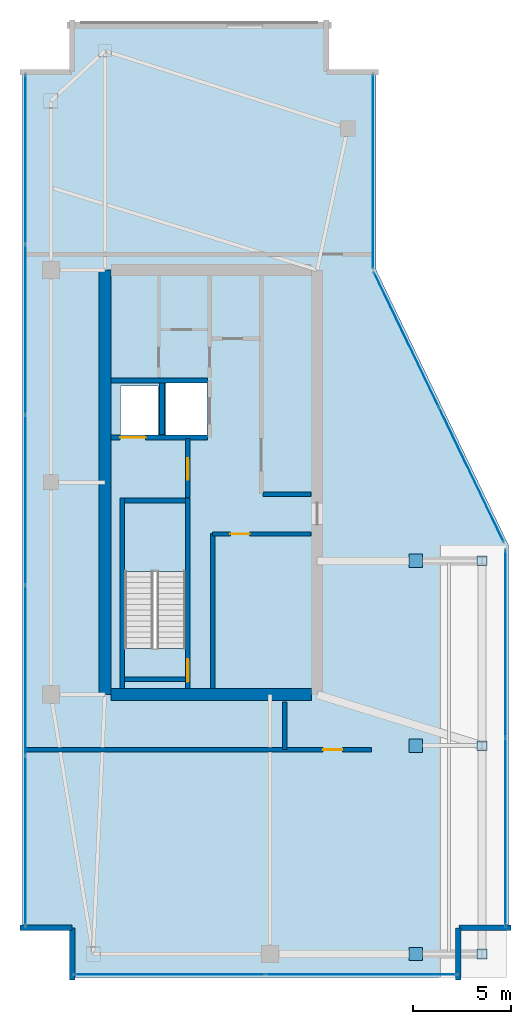
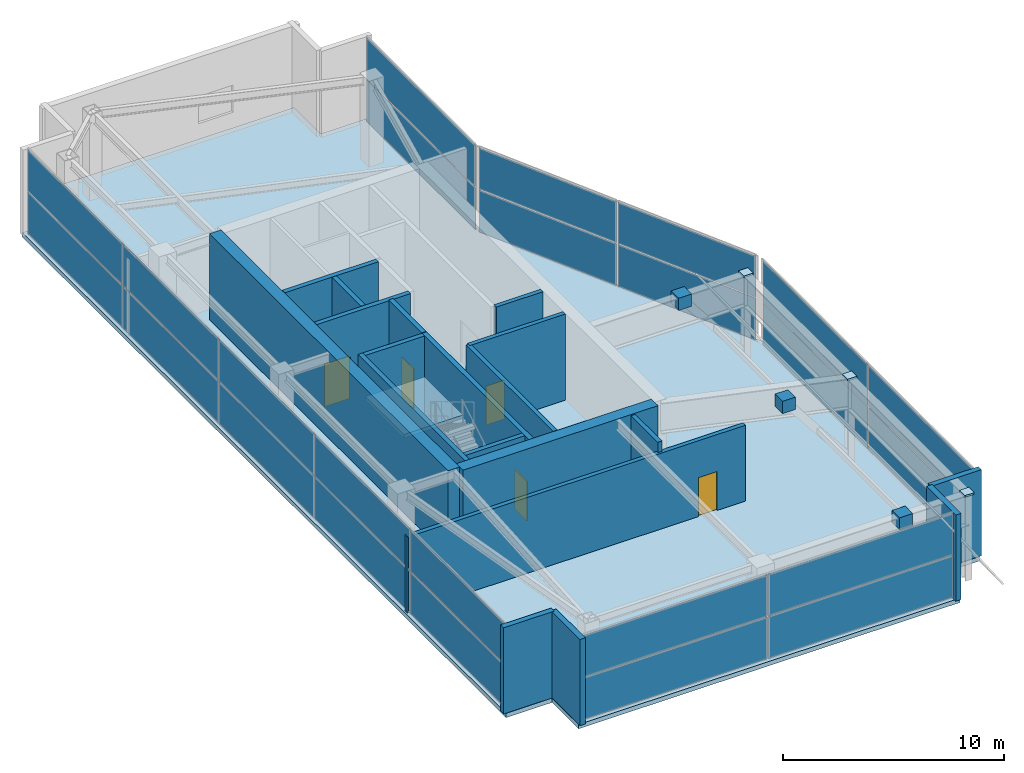
# One storey, part 17 of 20: 30 plates, 19 walls, 5 doors, 2 slabs, 5 openings, 6 elements without a shape of their own.
"""IFC4 building model written with IfcOpenShell, lengths in metres."""

import ifcopenshell
import ifcopenshell.guid

model = None  # the IFC model being written
_history = None  # IfcOwnerHistory: only IFC2X3 demands one
_inside = {}  # id of a spatial element -> (the spatial element, [elements in it])
_under = {}  # id of a project, library or spatial element -> (it, [spatial elements below it])
_declared = {}  # id of a project -> (the project, [libraries it declares])
_typed = {}  # id of a type object -> (the type object, [elements of that type])
_made_of = {}  # id of a material, layer set ... -> (it, [elements and type objects made of it])


def new_model(schema):
    """Start an empty IFC model of exactly this schema.

    Asked for "IFC4X3", IfcOpenShell would pick the latest addendum, in which some entities
    have other attributes; the version numbers below select the first issue.
    IFC2X3 requires an IfcOwnerHistory on every rooted entity: one is made here for all.
    """
    global model, _history
    if schema == "IFC4X3":
        model = ifcopenshell.file(schema_version=(4, 3, 0, 0))
    else:
        model = ifcopenshell.file(schema=schema)
    _inside.clear()
    _under.clear()
    _declared.clear()
    _typed.clear()
    _made_of.clear()
    _history = None
    if model.schema == "IFC2X3":
        org = make("IfcOrganization", Name="unknown")
        user = make(
            "IfcPersonAndOrganization",
            ThePerson=make("IfcPerson", FamilyName="unknown"),
            TheOrganization=org,
        )
        app = make(
            "IfcApplication",
            ApplicationDeveloper=org,
            Version="unknown",
            ApplicationFullName="unknown",
            ApplicationIdentifier="unknown",
        )
        _history = make(
            "IfcOwnerHistory",
            OwningUser=user,
            OwningApplication=app,
            ChangeAction="ADDED",
            CreationDate=0,
        )
    return model


def make(cls, **values):
    """One entity of the class cls with the attributes given. An attribute that is None is left unset."""
    return model.create_entity(
        cls, **{name: value for name, value in values.items() if value is not None}
    )


def rooted(cls, **values):
    """An entity with a GlobalId (a new one), such as an element, a storey or a relation."""
    return make(cls, GlobalId=ifcopenshell.guid.new(), OwnerHistory=_history, **values)


def si_unit(unit_type, name, prefix=None):
    """IfcSIUnit, for example si_unit("LENGTHUNIT", "METRE", prefix="MILLI")."""
    return make("IfcSIUnit", UnitType=unit_type, Prefix=prefix, Name=name)


def assignment(units):
    """IfcUnitAssignment: the units of a project."""
    return None if units is None else make("IfcUnitAssignment", Units=units)


def point(xyz):
    """IfcCartesianPoint."""
    return None if xyz is None else make("IfcCartesianPoint", Coordinates=xyz)


def direction(xyz):
    """IfcDirection."""
    return None if xyz is None else make("IfcDirection", DirectionRatios=xyz)


def frame(location, z_axis=None, x_axis=None):
    """IfcAxis2Placement3D, a coordinate frame: its origin and axes. An axis left out is left unset."""
    return make(
        "IfcAxis2Placement3D",
        Location=point(location),
        Axis=direction(z_axis),
        RefDirection=direction(x_axis),
    )


def frame_2d(location, x_axis=None):
    """IfcAxis2Placement2D, a coordinate frame in the plane: its origin and x axis."""
    return make(
        "IfcAxis2Placement2D", Location=point(location), RefDirection=direction(x_axis)
    )


def origin():
    """The frame at (0, 0, 0) with its axes left unset."""
    return frame((0.0, 0.0, 0.0))


def origin_2d():
    """The frame at (0, 0) in the plane with its x axis left unset."""
    return frame_2d((0.0, 0.0))


def place(relative_to, where):
    """IfcLocalPlacement: puts the frame where relative to a parent placement (None: the world)."""
    return make(
        "IfcLocalPlacement", PlacementRelTo=relative_to, RelativePlacement=where
    )


def context(
    kind, dimensions, precision=None, world=None, true_north=None, identifier=None
):
    """IfcGeometricRepresentationContext, for example the 3D "Model" context."""
    return make(
        "IfcGeometricRepresentationContext",
        ContextIdentifier=identifier,
        ContextType=kind,
        CoordinateSpaceDimension=dimensions,
        Precision=precision,
        WorldCoordinateSystem=world,
        TrueNorth=true_north,
    )


def subcontext(parent, identifier, kind, view, scale=None):
    """IfcGeometricRepresentationSubContext, for example "Body" below "Model"."""
    return make(
        "IfcGeometricRepresentationSubContext",
        ContextIdentifier=identifier,
        ContextType=kind,
        ParentContext=parent,
        TargetScale=scale,
        TargetView=view,
    )


def project(units=None, contexts=None):
    """IfcProject with its units and contexts."""
    return rooted(
        "IfcProject",
        Name="project",
        RepresentationContexts=contexts,
        UnitsInContext=assignment(units),
    )


def spatial(cls, under=None, at=None, **own):
    """A site, building, storey or space (cls), placed at a placement, below another one or the project."""
    s = rooted(cls, ObjectPlacement=at, **own)
    if under is not None:
        _under.setdefault(under.id(), (under, []))[1].append(s)
    return s


def polyline(points):
    """IfcPolyline through the points."""
    return make("IfcPolyline", Points=[point(p) for p in points])


def profile(cls, at=None, kind="AREA", **sizes):
    """A parametric profile (cls). Its sizes go by their IFC names, for example OverallWidth=200.0."""
    return make(cls, ProfileType=kind, Position=at, **sizes)


def rectangle(**sizes):
    """IfcRectangleProfileDef."""
    return profile("IfcRectangleProfileDef", **sizes)


def outline(outer, holes=None, kind="AREA"):
    """IfcArbitraryClosedProfileDef: a profile drawn as a closed curve; with holes, ...WithVoids."""
    if holes is None:
        return make("IfcArbitraryClosedProfileDef", ProfileType=kind, OuterCurve=outer)
    return make(
        "IfcArbitraryProfileDefWithVoids",
        ProfileType=kind,
        OuterCurve=outer,
        InnerCurves=holes,
    )


def extrude(swept, where, along, depth):
    """IfcExtrudedAreaSolid: the profile swept, set in the frame where, extruded along a direction by depth."""
    return make(
        "IfcExtrudedAreaSolid",
        SweptArea=swept,
        Position=where,
        ExtrudedDirection=direction(along),
        Depth=depth,
    )


def shape(context_of_items, identifier, shape_type, items):
    """IfcShapeRepresentation: the items that make up one representation, for example the "Body"."""
    return make(
        "IfcShapeRepresentation",
        ContextOfItems=context_of_items,
        RepresentationIdentifier=identifier,
        RepresentationType=shape_type,
        Items=items,
    )


def material(Name=None, Category=None):
    """IfcMaterial."""
    return make("IfcMaterial", Name=Name, Category=Category)


def layer(
    of_material, thickness, ventilated=None, Name=None, Category=None, Priority=None
):
    """IfcMaterialLayer: one layer of a wall or slab, of a material (None: an air gap)."""
    return make(
        "IfcMaterialLayer",
        Material=of_material,
        LayerThickness=thickness,
        IsVentilated=ventilated,
        Name=Name,
        Category=Category,
        Priority=Priority,
    )


def layer_set(layers, Name=None):
    """IfcMaterialLayerSet."""
    return make("IfcMaterialLayerSet", MaterialLayers=layers, LayerSetName=Name)


def made_of(thing, what):
    """Note that an element or type object is made of a material, layer set ...; save() writes the relation."""
    if what is not None:
        _made_of.setdefault(what.id(), (what, []))[1].append(thing)
    return thing


def type_object(cls, material=None, **own):
    """A type object (cls), such as IfcWallType, which elements share."""
    return made_of(rooted(cls, **own), material)


def element(
    cls,
    number,
    at=None,
    inside=None,
    cuts=None,
    type_object=None,
    material=None,
    context=None,
    identifier="Body",
    shape_type=None,
    held_by="IfcProductDefinitionShape",
    body=None,
    shapes=None,
    **own,
):
    """One element of the class cls, such as IfcWall. Its Tag is "e" and its number.

    at: its placement. inside: the storey or other place that contains it. cuts: it is an
    opening in that element (IfcRelVoidsElement). A single representation is given by context,
    identifier, shape_type and body (its items); several are given by shapes. held_by: the class
    of the entity that holds the representations. save() writes the other relations.
    """
    e = rooted(cls, Tag="e%d" % number, ObjectPlacement=at, **own)
    if body is not None:
        shapes = [shape(context, identifier, shape_type, body)]
    if shapes is not None:
        e.Representation = make(held_by, Representations=shapes)
    if inside is not None:
        _inside.setdefault(inside.id(), (inside, []))[1].append(e)
    if cuts is not None:
        rooted(
            "IfcRelVoidsElement", RelatingBuildingElement=cuts, RelatedOpeningElement=e
        )
    if type_object is not None:
        _typed.setdefault(type_object.id(), (type_object, []))[1].append(e)
    return made_of(e, material)


def fill(opening, filler):
    """IfcRelFillsElement: the door or window that sits in an opening."""
    return rooted(
        "IfcRelFillsElement",
        RelatingOpeningElement=opening,
        RelatedBuildingElement=filler,
    )


def aggregate(whole, parts):
    """IfcRelAggregates: a whole, such as a stair, and the parts it consists of."""
    return rooted("IfcRelAggregates", RelatingObject=whole, RelatedObjects=parts)


def save(model, path):
    """Write the relations noted so far, then the file.

    IfcRelAggregates (storeys below a building ...), IfcRelContainedInSpatialStructure (elements
    in a storey), IfcRelDefinesByType, IfcRelAssociatesMaterial and IfcRelDeclares: one each for
    every whole, place, type object, material and project.
    """
    for whole, parts in _under.values():
        aggregate(whole, parts)
    for where, things in _inside.values():
        rooted(
            "IfcRelContainedInSpatialStructure",
            RelatedElements=things,
            RelatingStructure=where,
        )
    for kind, things in _typed.values():
        rooted("IfcRelDefinesByType", RelatedObjects=things, RelatingType=kind)
    for what, things in _made_of.values():
        rooted("IfcRelAssociatesMaterial", RelatedObjects=things, RelatingMaterial=what)
    for by, libraries in _declared.values():
        rooted("IfcRelDeclares", RelatingContext=by, RelatedDefinitions=libraries)
    model.write(path)


model = new_model("IFC4")

# Units and contexts
model_context = context("Model", 3, precision=1e-05, world=origin(), true_north=direction((0.0, 1.0)))
body_context = subcontext(model_context, "Body", "Model", "MODEL_VIEW")
ifc_project = project(units=[si_unit("LENGTHUNIT", "METRE"), si_unit("AREAUNIT", "SQUARE_METRE"), si_unit("VOLUMEUNIT", "CUBIC_METRE"), si_unit("PLANEANGLEUNIT", "RADIAN"), si_unit("MASSUNIT", "GRAM", prefix="KILO")], contexts=[model_context])

# Site, building, storey
site_placement = place(None, origin())
site = spatial("IfcSite", under=ifc_project, at=site_placement, CompositionType="ELEMENT")
building_placement = place(site_placement, origin())
building = spatial("IfcBuilding", under=site, at=building_placement, Name="Calvorn Quay Hotel", CompositionType="ELEMENT")
storey_placement = place(building_placement, frame((0.0, 0.0, 335.5)))
storey = spatial("IfcBuildingStorey", under=building, at=storey_placement, Name="L82", CompositionType="ELEMENT", Elevation=335.5)

# Curtain wall, plates
ifc_material_1 = material(Name="Pale Anodised Aluminium and Laminated Glass", Category="aluminium")
ifc_layer_1 = layer(ifc_material_1, 0.219970703125)
ifc_layer_set_1 = layer_set([ifc_layer_1], Name="CW-SYS-CRN")
curtain_wall_type = type_object("IfcCurtainWallType", Name="CW-SYS-CRN", PredefinedType="NOTDEFINED", material=ifc_layer_set_1)
curtain_wall_1_placement = place(storey_placement, origin())
curtain_wall_1 = element("IfcCurtainWall", 1, at=curtain_wall_1_placement, inside=storey, type_object=curtain_wall_type, Name="Crown Curtain Wall L82-C1", PredefinedType="NOTDEFINED")
ifc_material_2 = material(Name="Low-E Laminated Double Glazing", Category="glass")
ifc_layer_2 = layer(ifc_material_2, 0.028076171875)
ifc_layer_set_2 = layer_set([ifc_layer_2], Name="CW-SYS-CRN-PAN")
plate_type_1 = type_object("IfcPlateType", Name="CW-SYS-CRN-PAN", PredefinedType="CURTAIN_PANEL", material=ifc_layer_set_2)
plate_1_placement = place(storey_placement, frame((7.50830078125, 2.550048828125, 0.06005859375), z_axis=(0.0, 0.0, 1.0), x_axis=(1.0, 0.0, 0.0)))
plate_1 = element("IfcPlate", 2, at=plate_1_placement, type_object=plate_type_1, Name="CW-L82-C1 panel 1.1", PredefinedType="CURTAIN_PANEL", context=body_context, shape_type="SweptSolid", body=[
    extrude(rectangle(XDim=9.656494140625, YDim=0.028076171875, at=origin_2d()), origin(), (0.0, 0.0, 1.0), 2.31005859375),
])
plate_2_placement = place(storey_placement, frame((7.50830078125, 2.550048828125, 2.429931640625), z_axis=(0.0, 0.0, 1.0), x_axis=(1.0, 0.0, 0.0)))
plate_2 = element("IfcPlate", 3, at=plate_2_placement, type_object=plate_type_1, Name="CW-L82-C1 panel 1.2", PredefinedType="CURTAIN_PANEL", context=body_context, shape_type="SweptSolid", body=[
    extrude(rectangle(XDim=9.656494140625, YDim=0.028076171875, at=origin_2d()), origin(), (0.0, 0.0, 1.0), 2.27001953125),
])
plate_3_placement = place(storey_placement, frame((17.224853515625, 2.550048828125, 0.06005859375), z_axis=(0.0, 0.0, 1.0), x_axis=(1.0, 0.0, 0.0)))
plate_3 = element("IfcPlate", 4, at=plate_3_placement, type_object=plate_type_1, Name="CW-L82-C1 panel 2.1", PredefinedType="CURTAIN_PANEL", context=body_context, shape_type="SweptSolid", body=[
    extrude(rectangle(XDim=9.656494140625, YDim=0.028076171875, at=origin_2d()), origin(), (0.0, 0.0, 1.0), 2.31005859375),
])
plate_4_placement = place(storey_placement, frame((17.224853515625, 2.550048828125, 2.429931640625), z_axis=(0.0, 0.0, 1.0), x_axis=(1.0, 0.0, 0.0)))
plate_4 = element("IfcPlate", 5, at=plate_4_placement, type_object=plate_type_1, Name="CW-L82-C1 panel 2.2", PredefinedType="CURTAIN_PANEL", context=body_context, shape_type="SweptSolid", body=[
    extrude(rectangle(XDim=9.656494140625, YDim=0.028076171875, at=origin_2d()), origin(), (0.0, 0.0, 1.0), 2.27001953125),
])
aggregate(curtain_wall_1, [plate_1, plate_2, plate_3, plate_4])

curtain_wall_2_placement = place(storey_placement, origin())
curtain_wall_2 = element("IfcCurtainWall", 6, at=curtain_wall_2_placement, inside=storey, type_object=curtain_wall_type, Name="Crown Curtain Wall L82-C2", PredefinedType="NOTDEFINED")
plate_5_placement = place(storey_placement, frame((24.5830078125, 9.824951171875, 0.06005859375), z_axis=(0.0, 0.0, 1.0), x_axis=(0.0, 1.0, 0.0)))
plate_5 = element("IfcPlate", 7, at=plate_5_placement, type_object=plate_type_1, Name="CW-L82-C2 panel 1.1", PredefinedType="CURTAIN_PANEL", context=body_context, shape_type="SweptSolid", body=[
    extrude(rectangle(XDim=9.489990234375, YDim=0.028076171875, at=origin_2d()), origin(), (0.0, 0.0, 1.0), 2.31005859375),
])
plate_6_placement = place(storey_placement, frame((24.5830078125, 9.824951171875, 2.429931640625), z_axis=(0.0, 0.0, 1.0), x_axis=(0.0, 1.0, 0.0)))
plate_6 = element("IfcPlate", 8, at=plate_6_placement, type_object=plate_type_1, Name="CW-L82-C2 panel 1.2", PredefinedType="CURTAIN_PANEL", context=body_context, shape_type="SweptSolid", body=[
    extrude(rectangle(XDim=9.489990234375, YDim=0.028076171875, at=origin_2d()), origin(), (0.0, 0.0, 1.0), 2.27001953125),
])
plate_7_placement = place(storey_placement, frame((24.5830078125, 19.375, 0.06005859375), z_axis=(0.0, 0.0, 1.0), x_axis=(0.0, 1.0, 0.0)))
plate_7 = element("IfcPlate", 9, at=plate_7_placement, type_object=plate_type_1, Name="CW-L82-C2 panel 2.1", PredefinedType="CURTAIN_PANEL", context=body_context, shape_type="SweptSolid", body=[
    extrude(rectangle(XDim=9.489990234375, YDim=0.028076171875, at=origin_2d()), origin(), (0.0, 0.0, 1.0), 2.31005859375),
])
plate_8_placement = place(storey_placement, frame((24.5830078125, 19.375, 2.429931640625), z_axis=(0.0, 0.0, 1.0), x_axis=(0.0, 1.0, 0.0)))
plate_8 = element("IfcPlate", 10, at=plate_8_placement, type_object=plate_type_1, Name="CW-L82-C2 panel 2.2", PredefinedType="CURTAIN_PANEL", context=body_context, shape_type="SweptSolid", body=[
    extrude(rectangle(XDim=9.489990234375, YDim=0.028076171875, at=origin_2d()), origin(), (0.0, 0.0, 1.0), 2.27001953125),
])
aggregate(curtain_wall_2, [plate_5, plate_6, plate_7, plate_8])

curtain_wall_3_placement = place(storey_placement, origin())
curtain_wall_3 = element("IfcCurtainWall", 11, at=curtain_wall_3_placement, inside=storey, type_object=curtain_wall_type, Name="Crown Curtain Wall L82-C3", PredefinedType="NOTDEFINED")
plate_9_placement = place(storey_placement, frame((22.83935546875, 27.992431640625, 0.06005859375), z_axis=(0.0, 0.0, 1.0), x_axis=(-0.433404727408, 0.901199390956, 0.0)))
plate_9 = element("IfcPlate", 12, at=plate_9_placement, type_object=plate_type_1, Name="CW-L82-C3 panel 1.1", PredefinedType="CURTAIN_PANEL", context=body_context, shape_type="SweptSolid", body=[
    extrude(rectangle(XDim=7.5576171875, YDim=0.028076171875, at=origin_2d()), origin(), (0.0, 0.0, 1.0), 2.31005859375),
])
plate_10_placement = place(storey_placement, frame((22.83935546875, 27.992431640625, 2.429931640625), z_axis=(0.0, 0.0, 1.0), x_axis=(-0.433404727408, 0.901199390956, 0.0)))
plate_10 = element("IfcPlate", 13, at=plate_10_placement, type_object=plate_type_1, Name="CW-L82-C3 panel 1.2", PredefinedType="CURTAIN_PANEL", context=body_context, shape_type="SweptSolid", body=[
    extrude(rectangle(XDim=7.5576171875, YDim=0.028076171875, at=origin_2d()), origin(), (0.0, 0.0, 1.0), 2.27001953125),
])
plate_11_placement = place(storey_placement, frame((19.537841796875, 34.857421875, 0.06005859375), z_axis=(0.0, 0.0, 1.0), x_axis=(-0.433404727408, 0.901199390956, 0.0)))
plate_11 = element("IfcPlate", 14, at=plate_11_placement, type_object=plate_type_1, Name="CW-L82-C3 panel 2.1", PredefinedType="CURTAIN_PANEL", context=body_context, shape_type="SweptSolid", body=[
    extrude(rectangle(XDim=7.5576171875, YDim=0.028076171875, at=origin_2d()), origin(), (0.0, 0.0, 1.0), 2.31005859375),
])
plate_12_placement = place(storey_placement, frame((19.537841796875, 34.857421875, 2.429931640625), z_axis=(0.0, 0.0, 1.0), x_axis=(-0.433404727408, 0.901199390956, 0.0)))
plate_12 = element("IfcPlate", 15, at=plate_12_placement, type_object=plate_type_1, Name="CW-L82-C3 panel 2.2", PredefinedType="CURTAIN_PANEL", context=body_context, shape_type="SweptSolid", body=[
    extrude(rectangle(XDim=7.5576171875, YDim=0.028076171875, at=origin_2d()), origin(), (0.0, 0.0, 1.0), 2.27001953125),
])
aggregate(curtain_wall_3, [plate_9, plate_10, plate_11, plate_12])

curtain_wall_4_placement = place(storey_placement, origin())
curtain_wall_4 = element("IfcCurtainWall", 16, at=curtain_wall_4_placement, inside=storey, type_object=curtain_wall_type, Name="Crown Curtain Wall L82-C4", PredefinedType="NOTDEFINED")
plate_13_placement = place(storey_placement, frame((17.85009765625, 43.39990234375, 0.06005859375), z_axis=(0.0, 0.0, 1.0), x_axis=(0.0, 1.0, 0.0)))
plate_13 = element("IfcPlate", 17, at=plate_13_placement, type_object=plate_type_1, Name="CW-L82-C4 panel 1.1", PredefinedType="CURTAIN_PANEL", context=body_context, shape_type="SweptSolid", body=[
    extrude(rectangle(XDim=9.840087890625, YDim=0.028076171875, at=origin_2d()), origin(), (0.0, 0.0, 1.0), 2.31005859375),
])
plate_14_placement = place(storey_placement, frame((17.85009765625, 43.39990234375, 2.429931640625), z_axis=(0.0, 0.0, 1.0), x_axis=(0.0, 1.0, 0.0)))
plate_14 = element("IfcPlate", 18, at=plate_14_placement, type_object=plate_type_1, Name="CW-L82-C4 panel 1.2", PredefinedType="CURTAIN_PANEL", context=body_context, shape_type="SweptSolid", body=[
    extrude(rectangle(XDim=9.840087890625, YDim=0.028076171875, at=origin_2d()), origin(), (0.0, 0.0, 1.0), 2.27001953125),
])
aggregate(curtain_wall_4, [plate_13, plate_14])

curtain_wall_5_placement = place(storey_placement, origin())
curtain_wall_5 = element("IfcCurtainWall", 19, at=curtain_wall_5_placement, inside=storey, type_object=curtain_wall_type, Name="Crown Curtain Wall L82-C5", PredefinedType="NOTDEFINED")
plate_15_placement = place(storey_placement, frame((0.14990234375, 44.029052734375, 0.06005859375), z_axis=(0.0, 0.0, 1.0), x_axis=(0.0, -1.0, 0.0)))
plate_15 = element("IfcPlate", 20, at=plate_15_placement, type_object=plate_type_1, Name="CW-L82-C5 panel 1.1", PredefinedType="CURTAIN_PANEL", context=body_context, shape_type="SweptSolid", body=[
    extrude(rectangle(XDim=8.58203125, YDim=0.028076171875, at=origin_2d()), origin(), (0.0, 0.0, 1.0), 2.31005859375),
])
plate_16_placement = place(storey_placement, frame((0.14990234375, 44.029052734375, 2.429931640625), z_axis=(0.0, 0.0, 1.0), x_axis=(0.0, -1.0, 0.0)))
plate_16 = element("IfcPlate", 21, at=plate_16_placement, type_object=plate_type_1, Name="CW-L82-C5 panel 1.2", PredefinedType="CURTAIN_PANEL", context=body_context, shape_type="SweptSolid", body=[
    extrude(rectangle(XDim=8.58203125, YDim=0.028076171875, at=origin_2d()), origin(), (0.0, 0.0, 1.0), 2.27001953125),
])
plate_17_placement = place(storey_placement, frame((0.14990234375, 35.3720703125, 0.06005859375), z_axis=(0.0, 0.0, 1.0), x_axis=(0.0, -1.0, 0.0)))
plate_17 = element("IfcPlate", 22, at=plate_17_placement, type_object=plate_type_1, Name="CW-L82-C5 panel 2.1", PredefinedType="CURTAIN_PANEL", context=body_context, shape_type="SweptSolid", body=[
    extrude(rectangle(XDim=8.612060546875, YDim=0.028076171875, at=origin_2d()), origin(), (0.0, 0.0, 1.0), 2.31005859375),
])
plate_18_placement = place(storey_placement, frame((0.14990234375, 35.3720703125, 2.429931640625), z_axis=(0.0, 0.0, 1.0), x_axis=(0.0, -1.0, 0.0)))
plate_18 = element("IfcPlate", 23, at=plate_18_placement, type_object=plate_type_1, Name="CW-L82-C5 panel 2.2", PredefinedType="CURTAIN_PANEL", context=body_context, shape_type="SweptSolid", body=[
    extrude(rectangle(XDim=8.612060546875, YDim=0.028076171875, at=origin_2d()), origin(), (0.0, 0.0, 1.0), 2.27001953125),
])
plate_19_placement = place(storey_placement, frame((0.14990234375, 26.699951171875, 0.06005859375), z_axis=(0.0, 0.0, 1.0), x_axis=(0.0, -1.0, 0.0)))
plate_19 = element("IfcPlate", 24, at=plate_19_placement, type_object=plate_type_1, Name="CW-L82-C5 panel 3.1", PredefinedType="CURTAIN_PANEL", context=body_context, shape_type="SweptSolid", body=[
    extrude(rectangle(XDim=8.612060546875, YDim=0.028076171875, at=origin_2d()), origin(), (0.0, 0.0, 1.0), 2.31005859375),
])
plate_20_placement = place(storey_placement, frame((0.14990234375, 26.699951171875, 2.429931640625), z_axis=(0.0, 0.0, 1.0), x_axis=(0.0, -1.0, 0.0)))
plate_20 = element("IfcPlate", 25, at=plate_20_placement, type_object=plate_type_1, Name="CW-L82-C5 panel 3.2", PredefinedType="CURTAIN_PANEL", context=body_context, shape_type="SweptSolid", body=[
    extrude(rectangle(XDim=8.612060546875, YDim=0.028076171875, at=origin_2d()), origin(), (0.0, 0.0, 1.0), 2.27001953125),
])
plate_21_placement = place(storey_placement, frame((0.14990234375, 18.028076171875, 0.06005859375), z_axis=(0.0, 0.0, 1.0), x_axis=(0.0, -1.0, 0.0)))
plate_21 = element("IfcPlate", 26, at=plate_21_placement, type_object=plate_type_1, Name="CW-L82-C5 panel 4.1", PredefinedType="CURTAIN_PANEL", context=body_context, shape_type="SweptSolid", body=[
    extrude(rectangle(XDim=8.612060546875, YDim=0.028076171875, at=origin_2d()), origin(), (0.0, 0.0, 1.0), 2.31005859375),
])
plate_22_placement = place(storey_placement, frame((0.14990234375, 18.028076171875, 2.429931640625), z_axis=(0.0, 0.0, 1.0), x_axis=(0.0, -1.0, 0.0)))
plate_22 = element("IfcPlate", 27, at=plate_22_placement, type_object=plate_type_1, Name="CW-L82-C5 panel 4.2", PredefinedType="CURTAIN_PANEL", context=body_context, shape_type="SweptSolid", body=[
    extrude(rectangle(XDim=8.612060546875, YDim=0.028076171875, at=origin_2d()), origin(), (0.0, 0.0, 1.0), 2.27001953125),
])
plate_23_placement = place(storey_placement, frame((0.14990234375, 9.37109375, 0.06005859375), z_axis=(0.0, 0.0, 1.0), x_axis=(0.0, -1.0, 0.0)))
plate_23 = element("IfcPlate", 28, at=plate_23_placement, type_object=plate_type_1, Name="CW-L82-C5 panel 5.1", PredefinedType="CURTAIN_PANEL", context=body_context, shape_type="SweptSolid", body=[
    extrude(rectangle(XDim=8.58203125, YDim=0.028076171875, at=origin_2d()), origin(), (0.0, 0.0, 1.0), 2.31005859375),
])
plate_24_placement = place(storey_placement, frame((0.14990234375, 9.37109375, 2.429931640625), z_axis=(0.0, 0.0, 1.0), x_axis=(0.0, -1.0, 0.0)))
plate_24 = element("IfcPlate", 29, at=plate_24_placement, type_object=plate_type_1, Name="CW-L82-C5 panel 5.2", PredefinedType="CURTAIN_PANEL", context=body_context, shape_type="SweptSolid", body=[
    extrude(rectangle(XDim=8.58203125, YDim=0.028076171875, at=origin_2d()), origin(), (0.0, 0.0, 1.0), 2.27001953125),
])
aggregate(curtain_wall_5, [plate_15, plate_16, plate_17, plate_18, plate_19, plate_20, plate_21, plate_22, plate_23, plate_24])

# Plates
ifc_material_3 = material(Name="Steel Q390GJC", Category="steel")
ifc_layer_3 = layer(ifc_material_3, 0.031982421875)
ifc_layer_set_3 = layer_set([ifc_layer_3], Name="PLT-SPLICE-32")
plate_type_2 = type_object("IfcPlateType", Name="PLT-SPLICE-32", PredefinedType="USERDEFINED", material=ifc_layer_set_3)
for number, where, z_axis, x_axis, name in (
    (30, (23.383056640625, 3.60009765625, 4.699951171875), (0.0, 0.0, 1.0), (1.0, 0.0, 0.0), "Column Top Cap Plate C-CR1 (L82)"),
    (31, (23.383056640625, 14.199951171875, 4.699951171875), (0.0, 0.0, 1.0), (1.0, 0.0, 0.0), "Column Top Cap Plate C-CR2 (L82)"),
    (32, (23.383056640625, 23.60009765625, 4.699951171875), (0.0, 0.0, 1.0), (1.0, 0.0, 0.0), "Column Top Cap Plate C-CR3 (L82)"),
):
    element("IfcPlate", number, at=place(storey_placement, frame(where, z_axis=z_axis, x_axis=x_axis)), inside=storey, type_object=plate_type_2, Name=name, ObjectType="SPLICE_PLATE", PredefinedType="USERDEFINED", context=body_context, shape_type="SweptSolid", body=[
        extrude(rectangle(XDim=0.489990234375, YDim=0.489990234375, at=origin_2d()), origin(), (0.0, 0.0, 1.0), 0.10009765625),
    ])
for number, where, z_axis, x_axis, name in (
    (33, (20.01708984375, 3.60009765625, 4.169921875), (0.0, 0.0, 1.0), (1.0, 0.0, 0.0), "Raking Rafter End Cap Plate L82-1"),
    (34, (20.01708984375, 14.199951171875, 4.169921875), (0.0, 0.0, 1.0), (1.0, 0.0, 0.0), "Raking Rafter End Cap Plate L82-2"),
    (35, (20.01708984375, 23.60009765625, 4.169921875), (0.0, 0.0, 1.0), (1.0, 0.0, 0.0), "Raking Rafter End Cap Plate L82-3"),
):
    element("IfcPlate", number, at=place(storey_placement, frame(where, z_axis=z_axis, x_axis=x_axis)), inside=storey, type_object=plate_type_2, Name=name, ObjectType="SPLICE_PLATE", PredefinedType="USERDEFINED", context=body_context, shape_type="SweptSolid", body=[
        extrude(rectangle(XDim=0.679931640625, YDim=0.679931640625, at=origin_2d()), origin(), (0.0, 0.0, 1.0), 0.679931640625),
    ])

# Stair, slab
ifc_material_4 = material(Name="Concrete C40", Category="concrete")
stair_type = type_object("IfcStairType", Name="STR-CORE-DOGLEG", PredefinedType="HALF_TURN_STAIR", material=ifc_material_4)
stair_placement = place(storey_placement, origin())
stair = element("IfcStair", 36, at=stair_placement, inside=storey, type_object=stair_type, Name="L82 ST-W", PredefinedType="HALF_TURN_STAIR")
ifc_material_5 = material(Name="Concrete C40", Category="concrete")
ifc_layer_4 = layer(ifc_material_5, 0.199951171875)
ifc_layer_set_4 = layer_set([ifc_layer_4], Name="SLB-STAIR-LANDING-200")
slab_type_1 = type_object("IfcSlabType", Name="SLB-STAIR-LANDING-200", PredefinedType="LANDING", material=ifc_layer_set_4)
slab_1_placement = place(storey_placement, frame((0.0, 0.0, 2.300048828125)))
slab_1 = element("IfcSlab", 37, at=slab_1_placement, type_object=slab_type_1, Name="ST-W landing 1", PredefinedType="LANDING", context=body_context, shape_type="SweptSolid", body=[
    extrude(outline(polyline([(8.300048828125, 23.070068359375), (8.300048828125, 26.550048828125), (5.199951171875, 26.550048828125), (5.199951171875, 23.070068359375), (8.300048828125, 23.070068359375)])), origin(), (0.0, 0.0, 1.0), 0.199951171875),
])
aggregate(stair, [slab_1])

# Slab
ifc_material_6 = material(Name="Concrete C40", Category="concrete")
ifc_layer_5 = layer(ifc_material_6, 0.239990234375)
ifc_layer_set_5 = layer_set([ifc_layer_5], Name="SLB-TOWER-240")
slab_type_2 = type_object("IfcSlabType", Name="SLB-TOWER-240", PredefinedType="FLOOR", material=ifc_layer_set_5)
slab_2_placement = place(storey_placement, frame((0.0, 0.0, -0.239990234375)))
element("IfcSlab", 38, at=slab_2_placement, inside=storey, type_object=slab_type_2, Name="L82 Structural Floor Slab", PredefinedType="FLOOR", context=body_context, shape_type="SweptSolid", body=[
    extrude(outline(polyline([(0.0, 4.800048828125), (2.39990234375, 4.800048828125), (2.39990234375, 2.39990234375), (22.3330078125, 2.39990234375), (22.3330078125, 4.800048828125), (24.73291015625, 4.800048828125), (24.73291015625, 24.39990234375), (18.0, 38.39990234375), (18.0, 48.60009765625), (15.60009765625, 48.60009765625), (15.60009765625, 51.0), (2.39990234375, 51.0), (2.39990234375, 48.60009765625), (0.0, 48.60009765625), (0.0, 4.800048828125)]), holes=[polyline([(5.199951171875, 19.156005859375), (8.300048828125, 19.156005859375), (8.300048828125, 26.550048828125), (5.199951171875, 26.550048828125), (5.199951171875, 19.156005859375)]), polyline([(5.0, 30.0), (6.89990234375, 30.0), (6.89990234375, 32.5), (5.0, 32.5), (5.0, 30.0)]), polyline([(7.300048828125, 30.0), (9.39990234375, 30.0), (9.39990234375, 32.64990234375), (7.300048828125, 32.64990234375), (7.300048828125, 30.0)])]), origin(), (0.0, 0.0, 1.0), 0.239990234375),
])

# Walls
ifc_material_7 = material(Name="Concrete C45", Category="concrete")
ifc_layer_6 = layer(ifc_material_7, 0.60009765625)
ifc_layer_set_6 = layer_set([ifc_layer_6], Name="WL-CORE-600")
wall_type_1 = type_object("IfcWallType", Name="WL-CORE-600", PredefinedType="SHEAR", material=ifc_layer_set_6)
wall_1_placement = place(storey_placement, frame((4.199951171875, 16.800048828125, 0.0), z_axis=(0.0, 0.0, 1.0), x_axis=(0.0, 1.0, 0.0)))
element("IfcWall", 39, at=wall_1_placement, inside=storey, type_object=wall_type_1, Name="West Core Shear Wall W (L82)", PredefinedType="SHEAR", context=body_context, shape_type="SweptSolid", body=[
    extrude(rectangle(XDim=21.599853515625, YDim=0.60009765625, at=frame_2d((10.7998046875, 0.0))), origin(), (0.0, 0.0, 1.0), 4.760009765625),
])
wall_2_placement = place(storey_placement, frame((4.5, 16.800048828125, 0.0), z_axis=(0.0, 0.0, 1.0), x_axis=(1.0, 0.0, 0.0)))
element("IfcWall", 40, at=wall_2_placement, inside=storey, type_object=wall_type_1, Name="West Core Shear Wall S (L82)", PredefinedType="SHEAR", context=body_context, shape_type="SweptSolid", body=[
    extrude(rectangle(XDim=10.199951171875, YDim=0.60009765625, at=frame_2d((5.10009765625, 0.0))), origin(), (0.0, 0.0, 1.0), 4.760009765625),
])
ifc_material_8 = material(Name="Concrete C40", Category="concrete")
ifc_layer_7 = layer(ifc_material_8, 0.320068359375)
ifc_layer_set_7 = layer_set([ifc_layer_7], Name="WL-EXT-SPANDREL-320")
wall_type_2 = type_object("IfcWallType", Name="WL-EXT-SPANDREL-320", PredefinedType="SOLIDWALL", material=ifc_layer_set_7)
wall_3_placement = place(storey_placement, frame((-0.1201171875, 4.949951171875, 0.0), z_axis=(0.0, 0.0, 1.0), x_axis=(1.0, 0.0, 0.0)))
element("IfcWall", 41, at=wall_3_placement, inside=storey, type_object=wall_type_2, Name="Crown Notched Corner Spandrel L82-C1", PredefinedType="SOLIDWALL", context=body_context, shape_type="SweptSolid", body=[
    extrude(rectangle(XDim=2.64013671875, YDim=0.280029296875, at=frame_2d((1.320068359375, 0.0))), origin(), (0.0, 0.0, 1.0), 4.760009765625),
])
for number, where, z_axis, x_axis, name in (
    (42, (2.550048828125, 4.919921875, 0.0), (0.0, 0.0, 1.0), (0.0, -1.0, 0.0), "Crown Notched Corner Spandrel L82-C2"),
    (43, (22.18310546875, 2.280029296875, 0.0), (0.0, 0.0, 1.0), (0.0, 1.0, 0.0), "Crown Notched Corner Spandrel L82-C3"),
):
    element("IfcWall", number, at=place(storey_placement, frame(where, z_axis=z_axis, x_axis=x_axis)), inside=storey, type_object=wall_type_2, Name=name, PredefinedType="SOLIDWALL", context=body_context, shape_type="SweptSolid", body=[
        extrude(rectangle(XDim=2.639892578125, YDim=0.280029296875, at=frame_2d((1.31982421875, 0.0))), origin(), (0.0, 0.0, 1.0), 4.760009765625),
    ])
wall_4_placement = place(storey_placement, frame((22.212890625, 4.949951171875, 0.0), z_axis=(0.0, 0.0, 1.0), x_axis=(1.0, 0.0, 0.0)))
element("IfcWall", 44, at=wall_4_placement, inside=storey, type_object=wall_type_2, Name="Crown Notched Corner Spandrel L82-C4", PredefinedType="SOLIDWALL", context=body_context, shape_type="SweptSolid", body=[
    extrude(rectangle(XDim=2.64013671875, YDim=0.280029296875, at=frame_2d((1.320068359375, 0.0))), origin(), (0.0, 0.0, 1.0), 4.760009765625),
])
ifc_material_9 = material(Name="Autoclaved Aerated Masonry Block", Category="masonry")
ifc_layer_8 = layer(ifc_material_9, 0.219970703125)
ifc_layer_set_8 = layer_set([ifc_layer_8], Name="WL-LOBBY-FIRE-220")
wall_type_3 = type_object("IfcWallType", Name="WL-LOBBY-FIRE-220", PredefinedType="SOLIDWALL", material=ifc_layer_set_8)
wall_5_placement = place(storey_placement, frame((9.679931640625, 17.1201171875, 0.0), z_axis=(0.0, 0.0, 1.0), x_axis=(0.0, 1.0, 0.0)))
element("IfcWall", 45, at=wall_5_placement, inside=storey, type_object=wall_type_3, Name="Partition Wall L82-WL-CWW-STW-HALL-E", PredefinedType="SOLIDWALL", context=body_context, shape_type="SweptSolid", body=[
    extrude(rectangle(XDim=7.8798828125, YDim=0.219970703125, at=frame_2d((3.93994140625, 0.0))), origin(), (0.0, 0.0, 1.0), 4.760009765625),
])

# Wall, opening, door
wall_6_placement = place(storey_placement, frame((9.679931640625, 24.969970703125, 0.0), z_axis=(0.0, 0.0, 1.0), x_axis=(1.0, 0.0, 0.0)))
wall_6 = element("IfcWall", 46, at=wall_6_placement, inside=storey, type_object=wall_type_3, Name="Partition Wall L82-WL-CWW-CRN-N", PredefinedType="SOLIDWALL", context=body_context, shape_type="SweptSolid", body=[
    extrude(rectangle(XDim=5.0, YDim=0.219970703125, at=frame_2d((2.5, 0.0))), origin(), (0.0, 0.0, 1.0), 4.760009765625),
])
opening_1_placement = place(wall_6_placement, frame((0.89990234375, 0.0, 0.0)))
opening_1 = element("IfcOpeningElement", 47, at=opening_1_placement, cuts=wall_6, Name="Opening D-L82-CCR", PredefinedType="OPENING", context=body_context, shape_type="SweptSolid", body=[
    extrude(rectangle(XDim=0.97998046875, YDim=2.14990234375, at=frame_2d((0.489990234375, 1.074951171875))), frame((0.0, 0.119873046875, 0.0), z_axis=(0.0, -1.0, 0.0), x_axis=(1.0, 0.0, 0.0)), (0.0, 0.0, 1.0), 0.239990234375),
])
ifc_material_10 = material(Name="Painted Steel Housekeeping/Riser Fire Door", Category="steel")
door_type_1 = type_object("IfcDoorType", Name="DR-SERVICE-980", OperationType="NOTDEFINED", PredefinedType="DOOR", material=ifc_material_10)
door_1_placement = place(opening_1_placement, origin())
door_1 = element("IfcDoor", 48, at=door_1_placement, inside=storey, type_object=door_type_1, Name="Crown Core Fan Door (L82)", OperationType="SINGLE_SWING_LEFT", OverallHeight=2.14990234375, OverallWidth=0.97998046875, PredefinedType="DOOR", context=body_context, shape_type="SweptSolid", body=[
    extrude(rectangle(XDim=0.97998046875, YDim=2.14990234375, at=frame_2d((0.489990234375, 1.074951171875))), frame((0.0, 0.02490234375, 0.0), z_axis=(0.0, -1.0, 0.0), x_axis=(1.0, 0.0, 0.0)), (0.0, 0.0, 1.0), 0.050048828125),
])
fill(opening_1, door_1)

# Walls
wall_7_placement = place(storey_placement, frame((12.25, 27.0, 0.0), z_axis=(0.0, 0.0, 1.0), x_axis=(1.0, 0.0, 0.0)))
element("IfcWall", 49, at=wall_7_placement, inside=storey, type_object=wall_type_3, Name="Partition Wall L82-WL-CWW-OV-S", PredefinedType="SOLIDWALL", context=body_context, shape_type="SweptSolid", body=[
    extrude(rectangle(XDim=2.429931640625, YDim=0.219970703125, at=frame_2d((1.21484375, 0.0))), origin(), (0.0, 0.0, 1.0), 4.760009765625),
])
wall_8_placement = place(storey_placement, frame((13.35009765625, 14.0, 0.0), z_axis=(0.0, 0.0, 1.0), x_axis=(0.0, 1.0, 0.0)))
element("IfcWall", 50, at=wall_8_placement, inside=storey, type_object=wall_type_3, Name="Partition Wall L82-WL-CR-SV-W", PredefinedType="SOLIDWALL", context=body_context, shape_type="SweptSolid", body=[
    extrude(rectangle(XDim=2.419921875, YDim=0.219970703125, at=frame_2d((1.2099609375, 0.0))), origin(), (0.0, 0.0, 1.0), 4.760009765625),
])

# Wall, opening, door
wall_9_placement = place(storey_placement, frame((0.080078125, 14.0, 0.0), z_axis=(0.0, 0.0, 1.0), x_axis=(1.0, 0.0, 0.0)))
wall_9 = element("IfcWall", 51, at=wall_9_placement, inside=storey, type_object=wall_type_3, Name="Partition Wall L82-WL-CR-S", PredefinedType="SOLIDWALL", context=body_context, shape_type="SweptSolid", body=[
    extrude(rectangle(XDim=17.669921875, YDim=0.219970703125, at=frame_2d((8.8349609375, 0.0))), origin(), (0.0, 0.0, 1.0), 4.18994140625),
])
opening_2_placement = place(wall_9_placement, frame((15.219970703125, 0.0, 0.0)))
opening_2 = element("IfcOpeningElement", 52, at=opening_2_placement, cuts=wall_9, Name="Opening D-L82-C1", PredefinedType="OPENING", context=body_context, shape_type="SweptSolid", body=[
    extrude(rectangle(XDim=0.97998046875, YDim=2.14990234375, at=frame_2d((0.489990234375, 1.074951171875))), frame((0.0, 0.119873046875, 0.0), z_axis=(0.0, -1.0, 0.0), x_axis=(1.0, 0.0, 0.0)), (0.0, 0.0, 1.0), 0.239990234375),
])
door_2_placement = place(opening_2_placement, origin())
door_2 = element("IfcDoor", 53, at=door_2_placement, inside=storey, type_object=door_type_1, Name="Crown Exhaust Plant Door", OperationType="SINGLE_SWING_LEFT", OverallHeight=2.14990234375, OverallWidth=0.97998046875, PredefinedType="DOOR", context=body_context, shape_type="SweptSolid", body=[
    extrude(rectangle(XDim=0.97998046875, YDim=2.14990234375, at=frame_2d((0.489990234375, 1.074951171875))), frame((0.0, 0.02490234375, 0.0), z_axis=(0.0, -1.0, 0.0), x_axis=(1.0, 0.0, 0.0)), (0.0, 0.0, 1.0), 0.050048828125),
])
fill(opening_2, door_2)

# Wall
ifc_material_11 = material(Name="Concrete C40", Category="concrete")
ifc_layer_9 = layer(ifc_material_11, 0.239990234375)
ifc_layer_set_9 = layer_set([ifc_layer_9], Name="WL-SHAFT-240")
wall_type_4 = type_object("IfcWallType", Name="WL-SHAFT-240", PredefinedType="SOLIDWALL", material=ifc_layer_set_9)
wall_10_placement = place(storey_placement, frame((5.080078125, 17.10009765625, 0.0), z_axis=(0.0, 0.0, 1.0), x_axis=(0.0, 1.0, 0.0)))
element("IfcWall", 54, at=wall_10_placement, inside=storey, type_object=wall_type_4, Name="Stair STW Shaft Wall W (L82)", PredefinedType="SOLIDWALL", context=body_context, shape_type="SweptSolid", body=[
    extrude(rectangle(XDim=9.68994140625, YDim=0.239990234375, at=frame_2d((4.844970703125, 0.0))), origin(), (0.0, 0.0, 1.0), 4.760009765625),
])

# Wall, opening, door
wall_11_placement = place(storey_placement, frame((8.419921875, 17.10009765625, 0.0), z_axis=(0.0, 0.0, 1.0), x_axis=(0.0, 1.0, 0.0)))
wall_11 = element("IfcWall", 55, at=wall_11_placement, inside=storey, type_object=wall_type_4, Name="Stair STW Shaft Wall E (L82)", PredefinedType="SOLIDWALL", context=body_context, shape_type="SweptSolid", body=[
    extrude(rectangle(XDim=9.68994140625, YDim=0.239990234375, at=frame_2d((4.844970703125, 0.0))), origin(), (0.0, 0.0, 1.0), 4.760009765625),
])
opening_3_placement = place(wall_11_placement, frame((0.35009765625, 0.0, 0.0)))
opening_3 = element("IfcOpeningElement", 56, at=opening_3_placement, cuts=wall_11, Name="Opening D-L82-STW", PredefinedType="OPENING", context=body_context, shape_type="SweptSolid", body=[
    extrude(rectangle(XDim=1.14990234375, YDim=2.199951171875, at=frame_2d((0.574951171875, 1.10009765625))), frame((0.0, 0.1298828125, 0.0), z_axis=(0.0, -1.0, 0.0), x_axis=(1.0, 0.0, 0.0)), (0.0, 0.0, 1.0), 0.260009765625),
])
ifc_material_12 = material(Name="Galvanised Steel Class A Fire Door", Category="steel")
door_type_2 = type_object("IfcDoorType", Name="DR-STAIR-SMOKE-1150", OperationType="NOTDEFINED", PredefinedType="DOOR", material=ifc_material_12)
door_3_placement = place(opening_3_placement, origin())
door_3 = element("IfcDoor", 57, at=door_3_placement, inside=storey, type_object=door_type_2, Name="Stair ST-W Fire Door (L82)", OperationType="SINGLE_SWING_LEFT", OverallHeight=2.199951171875, OverallWidth=1.14990234375, PredefinedType="DOOR", context=body_context, shape_type="SweptSolid", body=[
    extrude(rectangle(XDim=1.14990234375, YDim=2.199951171875, at=frame_2d((0.574951171875, 1.10009765625))), frame((0.0, 0.02490234375, 0.0), z_axis=(0.0, -1.0, 0.0), x_axis=(1.0, 0.0, 0.0)), (0.0, 0.0, 1.0), 0.050048828125),
])
fill(opening_3, door_3)

# Walls
for number, where, z_axis, x_axis, name in (
    (58, (5.199951171875, 17.580078125, 0.0), (0.0, 0.0, 1.0), (1.0, 0.0, 0.0), "Stair STW Shaft Wall S (L82)"),
    (59, (5.199951171875, 26.669921875, 0.0), (0.0, 0.0, 1.0), (1.0, 0.0, 0.0), "Stair STW Shaft Wall N (L82)"),
):
    element("IfcWall", number, at=place(storey_placement, frame(where, z_axis=z_axis, x_axis=x_axis)), inside=storey, type_object=wall_type_4, Name=name, PredefinedType="SOLIDWALL", context=body_context, shape_type="SweptSolid", body=[
        extrude(rectangle(XDim=3.10009765625, YDim=0.239990234375, at=frame_2d((1.550048828125, 0.0))), origin(), (0.0, 0.0, 1.0), 4.760009765625),
    ])

# Wall, opening, door
wall_12_placement = place(storey_placement, frame((8.419921875, 26.820068359375, 0.0), z_axis=(0.0, 0.0, 1.0), x_axis=(0.0, 1.0, 0.0)))
wall_12 = element("IfcWall", 60, at=wall_12_placement, inside=storey, type_object=wall_type_4, Name="Partition Wall L82-WL-CWW-FFL-E", PredefinedType="SOLIDWALL", context=body_context, shape_type="SweptSolid", body=[
    extrude(rectangle(XDim=3.0, YDim=0.239990234375, at=frame_2d((1.5, 0.0))), origin(), (0.0, 0.0, 1.0), 4.760009765625),
])
opening_4_placement = place(wall_12_placement, frame((0.89990234375, 0.0, 0.0)))
opening_4 = element("IfcOpeningElement", 61, at=opening_4_placement, cuts=wall_12, Name="Opening D-L82-FLW", PredefinedType="OPENING", context=body_context, shape_type="SweptSolid", body=[
    extrude(rectangle(XDim=1.10009765625, YDim=2.199951171875, at=frame_2d((0.550048828125, 1.10009765625))), frame((0.0, 0.1298828125, 0.0), z_axis=(0.0, -1.0, 0.0), x_axis=(1.0, 0.0, 0.0)), (0.0, 0.0, 1.0), 0.260009765625),
])
ifc_material_13 = material(Name="Smoke-Sealed Steel Class A Fire Door", Category="steel")
door_type_3 = type_object("IfcDoorType", Name="DR-FFLOBBY-1100", OperationType="NOTDEFINED", PredefinedType="DOOR", material=ifc_material_13)
door_4_placement = place(opening_4_placement, origin())
door_4 = element("IfcDoor", 62, at=door_4_placement, inside=storey, type_object=door_type_3, Name="West Firefighting Lobby Fire Door (L82)", OperationType="SINGLE_SWING_RIGHT", OverallHeight=2.199951171875, OverallWidth=1.10009765625, PredefinedType="DOOR", context=body_context, shape_type="SweptSolid", body=[
    extrude(rectangle(XDim=1.10009765625, YDim=2.199951171875, at=frame_2d((0.550048828125, 1.10009765625))), frame((0.0, 0.02490234375, 0.0), z_axis=(0.0, -1.0, 0.0), x_axis=(1.0, 0.0, 0.0)), (0.0, 0.0, 1.0), 0.050048828125),
])
fill(opening_4, door_4)

wall_13_placement = place(storey_placement, frame((4.52001953125, 29.8798828125, 0.0), z_axis=(0.0, 0.0, 1.0), x_axis=(1.0, 0.0, 0.0)))
wall_13 = element("IfcWall", 63, at=wall_13_placement, inside=storey, type_object=wall_type_4, Name="Partition Wall L82-WL-CWW-FLW-S", PredefinedType="SOLIDWALL", context=body_context, shape_type="SweptSolid", body=[
    extrude(rectangle(XDim=4.89990234375, YDim=0.239990234375, at=frame_2d((2.449951171875, 0.0))), origin(), (0.0, 0.0, 1.0), 4.760009765625),
])
opening_5_placement = place(wall_13_placement, frame((0.449951171875, 0.0, 0.0)))
opening_5 = element("IfcOpeningElement", 64, at=opening_5_placement, cuts=wall_13, Name="Opening LD-L82-FLW1", PredefinedType="OPENING", context=body_context, shape_type="SweptSolid", body=[
    extrude(rectangle(XDim=1.300048828125, YDim=2.35009765625, at=frame_2d((0.64990234375, 1.175048828125))), frame((0.0, 0.1298828125, 0.0), z_axis=(0.0, -1.0, 0.0), x_axis=(1.0, 0.0, 0.0)), (0.0, 0.0, 1.0), 0.260009765625),
])
ifc_material_14 = material(Name="Champagne-Bronze Sliding Express Lift Landing Door")
door_type_4 = type_object("IfcDoorType", Name="DR-LIFT-SHUTTLE-1300", OperationType="NOTDEFINED", PredefinedType="DOOR", material=ifc_material_14)
door_5_placement = place(opening_5_placement, origin())
door_5 = element("IfcDoor", 65, at=door_5_placement, inside=storey, type_object=door_type_4, Name="Firefighting Lift FL-W1 Landing Door (L82)", OperationType="DOUBLE_DOOR_SLIDING", OverallHeight=2.35009765625, OverallWidth=1.300048828125, PredefinedType="DOOR", context=body_context, shape_type="SweptSolid", body=[
    extrude(rectangle(XDim=1.300048828125, YDim=2.35009765625, at=frame_2d((0.64990234375, 1.175048828125))), frame((0.0, 0.02490234375, 0.0), z_axis=(0.0, -1.0, 0.0), x_axis=(1.0, 0.0, 0.0)), (0.0, 0.0, 1.0), 0.050048828125),
])
fill(opening_5, door_5)

# Walls
wall_14_placement = place(storey_placement, frame((7.10009765625, 30.02001953125, 0.0), z_axis=(0.0, 0.0, 1.0), x_axis=(0.0, 1.0, 0.0)))
element("IfcWall", 66, at=wall_14_placement, inside=storey, type_object=wall_type_4, Name="Partition Wall L82-WL-CWW-FLW-DIV", PredefinedType="SOLIDWALL", context=body_context, shape_type="SweptSolid", body=[
    extrude(rectangle(XDim=2.6298828125, YDim=0.239990234375, at=frame_2d((1.31494140625, 0.0))), origin(), (0.0, 0.0, 1.0), 4.760009765625),
])
wall_15_placement = place(storey_placement, frame((4.52001953125, 32.780029296875, 0.0), z_axis=(0.0, 0.0, 1.0), x_axis=(1.0, 0.0, 0.0)))
element("IfcWall", 67, at=wall_15_placement, inside=storey, type_object=wall_type_4, Name="Partition Wall L82-WL-CWW-SLW-N", PredefinedType="SOLIDWALL", context=body_context, shape_type="SweptSolid", body=[
    extrude(rectangle(XDim=4.89990234375, YDim=0.239990234375, at=frame_2d((2.449951171875, 0.0))), origin(), (0.0, 0.0, 1.0), 4.760009765625),
])

save(model, "model.ifc")
